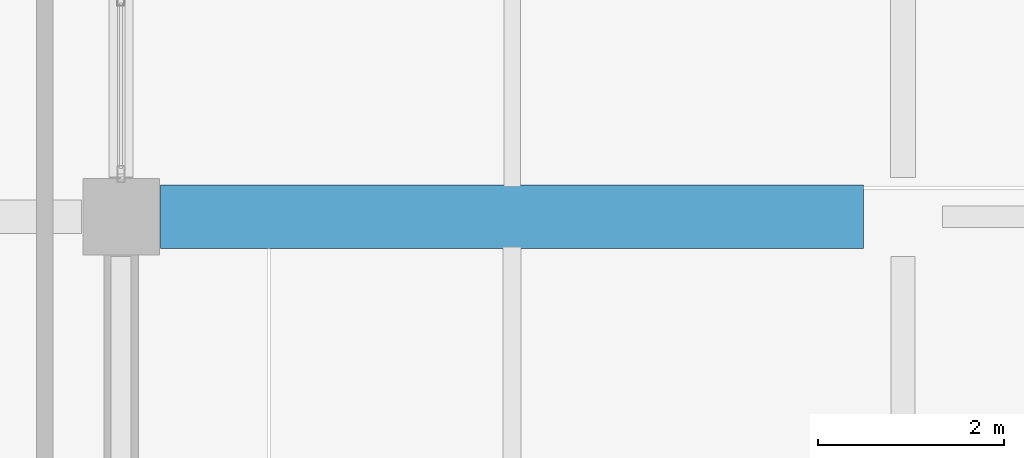
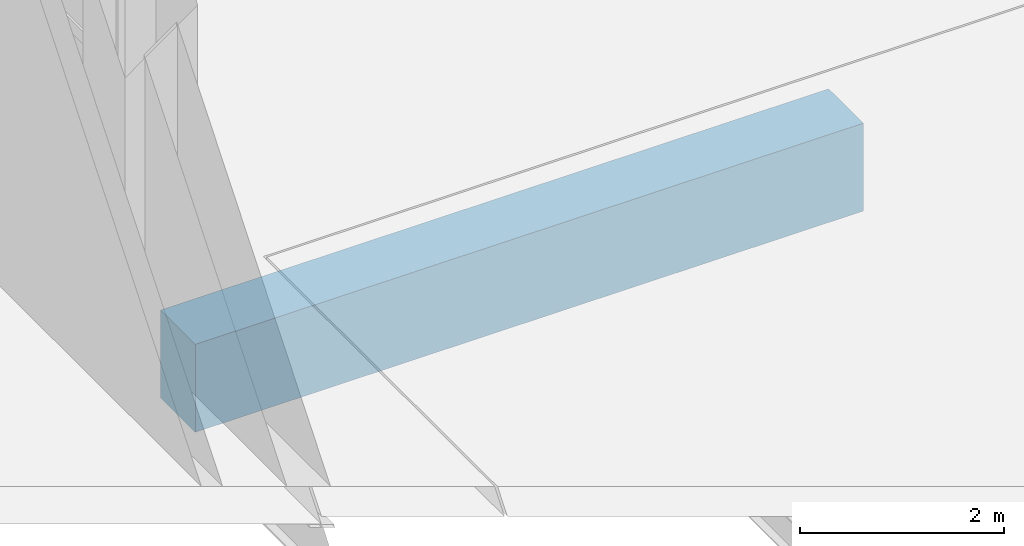
# One storey, part 37 of 107: 1 beam.
"""IFC4 building model written with IfcOpenShell, lengths in metres."""

import ifcopenshell
import ifcopenshell.guid

model = None  # the IFC model being written
_history = None  # IfcOwnerHistory: only IFC2X3 demands one
_inside = {}  # id of a spatial element -> (the spatial element, [elements in it])
_under = {}  # id of a project, library or spatial element -> (it, [spatial elements below it])
_declared = {}  # id of a project -> (the project, [libraries it declares])
_typed = {}  # id of a type object -> (the type object, [elements of that type])
_made_of = {}  # id of a material, layer set ... -> (it, [elements and type objects made of it])


def new_model(schema):
    """Start an empty IFC model of exactly this schema.

    Asked for "IFC4X3", IfcOpenShell would pick the latest addendum, in which some entities
    have other attributes; the version numbers below select the first issue.
    IFC2X3 requires an IfcOwnerHistory on every rooted entity: one is made here for all.
    """
    global model, _history
    if schema == "IFC4X3":
        model = ifcopenshell.file(schema_version=(4, 3, 0, 0))
    else:
        model = ifcopenshell.file(schema=schema)
    _inside.clear()
    _under.clear()
    _declared.clear()
    _typed.clear()
    _made_of.clear()
    _history = None
    if model.schema == "IFC2X3":
        org = make("IfcOrganization", Name="unknown")
        user = make(
            "IfcPersonAndOrganization",
            ThePerson=make("IfcPerson", FamilyName="unknown"),
            TheOrganization=org,
        )
        app = make(
            "IfcApplication",
            ApplicationDeveloper=org,
            Version="unknown",
            ApplicationFullName="unknown",
            ApplicationIdentifier="unknown",
        )
        _history = make(
            "IfcOwnerHistory",
            OwningUser=user,
            OwningApplication=app,
            ChangeAction="ADDED",
            CreationDate=0,
        )
    return model


def make(cls, **values):
    """One entity of the class cls with the attributes given. An attribute that is None is left unset."""
    return model.create_entity(
        cls, **{name: value for name, value in values.items() if value is not None}
    )


def rooted(cls, **values):
    """An entity with a GlobalId (a new one), such as an element, a storey or a relation."""
    return make(cls, GlobalId=ifcopenshell.guid.new(), OwnerHistory=_history, **values)


def si_unit(unit_type, name, prefix=None):
    """IfcSIUnit, for example si_unit("LENGTHUNIT", "METRE", prefix="MILLI")."""
    return make("IfcSIUnit", UnitType=unit_type, Prefix=prefix, Name=name)


def assignment(units):
    """IfcUnitAssignment: the units of a project."""
    return None if units is None else make("IfcUnitAssignment", Units=units)


def point(xyz):
    """IfcCartesianPoint."""
    return None if xyz is None else make("IfcCartesianPoint", Coordinates=xyz)


def direction(xyz):
    """IfcDirection."""
    return None if xyz is None else make("IfcDirection", DirectionRatios=xyz)


def frame(location, z_axis=None, x_axis=None):
    """IfcAxis2Placement3D, a coordinate frame: its origin and axes. An axis left out is left unset."""
    return make(
        "IfcAxis2Placement3D",
        Location=point(location),
        Axis=direction(z_axis),
        RefDirection=direction(x_axis),
    )


def frame_2d(location, x_axis=None):
    """IfcAxis2Placement2D, a coordinate frame in the plane: its origin and x axis."""
    return make(
        "IfcAxis2Placement2D", Location=point(location), RefDirection=direction(x_axis)
    )


def origin():
    """The frame at (0, 0, 0) with its axes left unset."""
    return frame((0.0, 0.0, 0.0))


def origin_2d():
    """The frame at (0, 0) in the plane with its x axis left unset."""
    return frame_2d((0.0, 0.0))


def place(relative_to, where):
    """IfcLocalPlacement: puts the frame where relative to a parent placement (None: the world)."""
    return make(
        "IfcLocalPlacement", PlacementRelTo=relative_to, RelativePlacement=where
    )


def context(
    kind, dimensions, precision=None, world=None, true_north=None, identifier=None
):
    """IfcGeometricRepresentationContext, for example the 3D "Model" context."""
    return make(
        "IfcGeometricRepresentationContext",
        ContextIdentifier=identifier,
        ContextType=kind,
        CoordinateSpaceDimension=dimensions,
        Precision=precision,
        WorldCoordinateSystem=world,
        TrueNorth=true_north,
    )


def subcontext(parent, identifier, kind, view, scale=None):
    """IfcGeometricRepresentationSubContext, for example "Body" below "Model"."""
    return make(
        "IfcGeometricRepresentationSubContext",
        ContextIdentifier=identifier,
        ContextType=kind,
        ParentContext=parent,
        TargetScale=scale,
        TargetView=view,
    )


def project(units=None, contexts=None):
    """IfcProject with its units and contexts."""
    return rooted(
        "IfcProject",
        Name="project",
        RepresentationContexts=contexts,
        UnitsInContext=assignment(units),
    )


def spatial(cls, under=None, at=None, **own):
    """A site, building, storey or space (cls), placed at a placement, below another one or the project."""
    s = rooted(cls, ObjectPlacement=at, **own)
    if under is not None:
        _under.setdefault(under.id(), (under, []))[1].append(s)
    return s


def profile(cls, at=None, kind="AREA", **sizes):
    """A parametric profile (cls). Its sizes go by their IFC names, for example OverallWidth=200.0."""
    return make(cls, ProfileType=kind, Position=at, **sizes)


def rectangle(**sizes):
    """IfcRectangleProfileDef."""
    return profile("IfcRectangleProfileDef", **sizes)


def extrude(swept, where, along, depth):
    """IfcExtrudedAreaSolid: the profile swept, set in the frame where, extruded along a direction by depth."""
    return make(
        "IfcExtrudedAreaSolid",
        SweptArea=swept,
        Position=where,
        ExtrudedDirection=direction(along),
        Depth=depth,
    )


def shape(context_of_items, identifier, shape_type, items):
    """IfcShapeRepresentation: the items that make up one representation, for example the "Body"."""
    return make(
        "IfcShapeRepresentation",
        ContextOfItems=context_of_items,
        RepresentationIdentifier=identifier,
        RepresentationType=shape_type,
        Items=items,
    )


def material(Name=None, Category=None):
    """IfcMaterial."""
    return make("IfcMaterial", Name=Name, Category=Category)


def material_profile(
    of_material, cross_section, Name=None, Category=None, Priority=None
):
    """IfcMaterialProfile: a cross section and its material."""
    return make(
        "IfcMaterialProfile",
        Name=Name,
        Material=of_material,
        Profile=cross_section,
        Priority=Priority,
        Category=Category,
    )


def profile_set(profiles, Name=None, composite=None):
    """IfcMaterialProfileSet."""
    return make(
        "IfcMaterialProfileSet",
        Name=Name,
        MaterialProfiles=profiles,
        CompositeProfile=composite,
    )


def made_of(thing, what):
    """Note that an element or type object is made of a material, layer set ...; save() writes the relation."""
    if what is not None:
        _made_of.setdefault(what.id(), (what, []))[1].append(thing)
    return thing


def type_object(cls, material=None, **own):
    """A type object (cls), such as IfcWallType, which elements share."""
    return made_of(rooted(cls, **own), material)


def element(
    cls,
    number,
    at=None,
    inside=None,
    cuts=None,
    type_object=None,
    material=None,
    context=None,
    identifier="Body",
    shape_type=None,
    held_by="IfcProductDefinitionShape",
    body=None,
    shapes=None,
    **own,
):
    """One element of the class cls, such as IfcWall. Its Tag is "e" and its number.

    at: its placement. inside: the storey or other place that contains it. cuts: it is an
    opening in that element (IfcRelVoidsElement). A single representation is given by context,
    identifier, shape_type and body (its items); several are given by shapes. held_by: the class
    of the entity that holds the representations. save() writes the other relations.
    """
    e = rooted(cls, Tag="e%d" % number, ObjectPlacement=at, **own)
    if body is not None:
        shapes = [shape(context, identifier, shape_type, body)]
    if shapes is not None:
        e.Representation = make(held_by, Representations=shapes)
    if inside is not None:
        _inside.setdefault(inside.id(), (inside, []))[1].append(e)
    if cuts is not None:
        rooted(
            "IfcRelVoidsElement", RelatingBuildingElement=cuts, RelatedOpeningElement=e
        )
    if type_object is not None:
        _typed.setdefault(type_object.id(), (type_object, []))[1].append(e)
    return made_of(e, material)


def aggregate(whole, parts):
    """IfcRelAggregates: a whole, such as a stair, and the parts it consists of."""
    return rooted("IfcRelAggregates", RelatingObject=whole, RelatedObjects=parts)


def save(model, path):
    """Write the relations noted so far, then the file.

    IfcRelAggregates (storeys below a building ...), IfcRelContainedInSpatialStructure (elements
    in a storey), IfcRelDefinesByType, IfcRelAssociatesMaterial and IfcRelDeclares: one each for
    every whole, place, type object, material and project.
    """
    for whole, parts in _under.values():
        aggregate(whole, parts)
    for where, things in _inside.values():
        rooted(
            "IfcRelContainedInSpatialStructure",
            RelatedElements=things,
            RelatingStructure=where,
        )
    for kind, things in _typed.values():
        rooted("IfcRelDefinesByType", RelatedObjects=things, RelatingType=kind)
    for what, things in _made_of.values():
        rooted("IfcRelAssociatesMaterial", RelatedObjects=things, RelatingMaterial=what)
    for by, libraries in _declared.values():
        rooted("IfcRelDeclares", RelatingContext=by, RelatedDefinitions=libraries)
    model.write(path)


model = new_model("IFC4")

# Units and contexts
model_context = context("Model", 3, precision=1e-05, world=origin(), true_north=direction((0.0, 1.0)))
body_context = subcontext(model_context, "Body", "Model", "MODEL_VIEW")
ifc_project = project(units=[si_unit("LENGTHUNIT", "METRE"), si_unit("AREAUNIT", "SQUARE_METRE"), si_unit("VOLUMEUNIT", "CUBIC_METRE"), si_unit("PLANEANGLEUNIT", "RADIAN"), si_unit("MASSUNIT", "GRAM", prefix="KILO")], contexts=[model_context])

# Site, building, storey
site_placement = place(None, origin())
site = spatial("IfcSite", under=ifc_project, at=site_placement, CompositionType="ELEMENT")
building_placement = place(site_placement, origin())
building = spatial("IfcBuilding", under=site, at=building_placement, Name="Solvento Point Concert Hall", CompositionType="ELEMENT")
storey_placement = place(building_placement, origin())
storey = spatial("IfcBuildingStorey", under=building, at=storey_placement, Name="L00", CompositionType="ELEMENT", Elevation=0.0)

# Beam
ifc_material = material(Name="Concrete C35/45", Category="concrete")
ifc_material_profile = material_profile(ifc_material, rectangle(XDim=0.679931640625, YDim=1.050048828125, at=origin_2d()), Name="RC-BM-680X1050")
ifc_profile_set = profile_set([ifc_material_profile], Name="Concrete C35/45")
beam_type = type_object("IfcBeamType", Name="Girder_RC_680x1050", PredefinedType="USERDEFINED", material=ifc_profile_set)
beam_placement = place(storey_placement, frame((74.823974609375, 102.0, -0.76904296875), z_axis=(1.0, 0.0, 0.0), x_axis=(0.0, 1.0, 0.0)))
element("IfcBeam", 1, at=beam_placement, inside=storey, type_object=beam_type, Name="Primary girder B-91 L00", ObjectType="GIRDER", PredefinedType="USERDEFINED", context=body_context, shape_type="SweptSolid", body=[
    extrude(rectangle(XDim=0.679931640625, YDim=1.050048828125, at=origin_2d()), origin(), (0.0, 0.0, 1.0), 7.552001953125),
])

save(model, "model.ifc")
